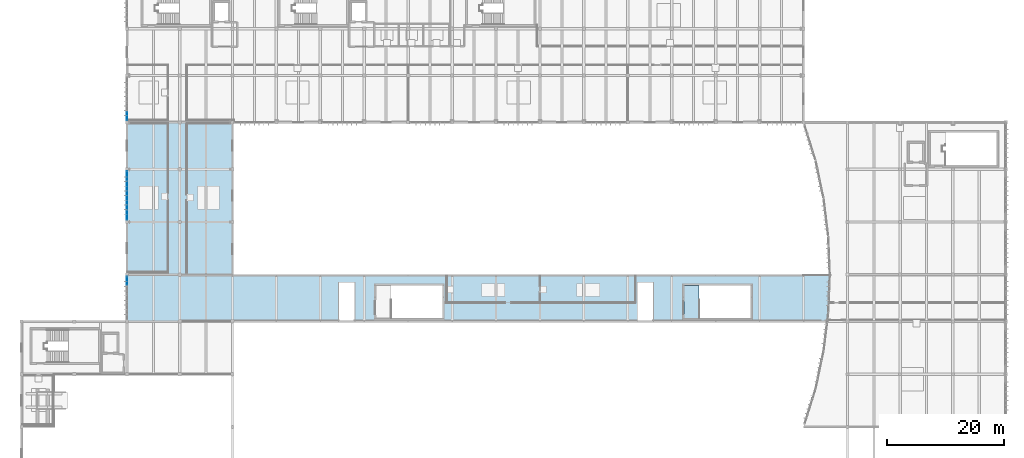
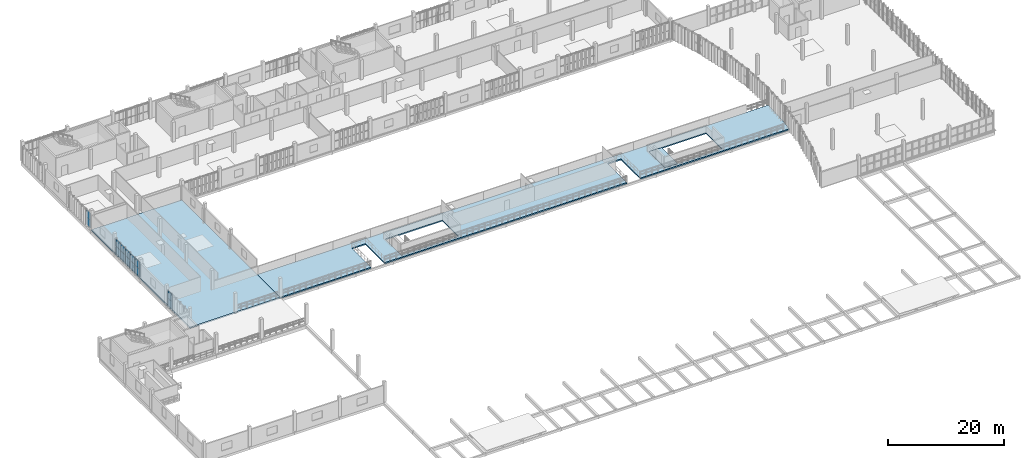
# One storey, part 33 of 61: 14 plates, 3 slabs, 3 elements without a shape of their own.
"""IFC4 building model written with IfcOpenShell, lengths in metres."""

from ifc_helpers import new_model, si_unit, direction, frame, origin, origin_2d, place, context, subcontext, project, spatial, polyline, rectangle, outline, extrude, material, layer, layer_set, type_object, element, aggregate, save


model = new_model("IFC4")

# Units and contexts
model_context = context("Model", 3, precision=1e-05, world=origin(), true_north=direction((0.0, 1.0)))
body_context = subcontext(model_context, "Body", "Model", "MODEL_VIEW")
ifc_project = project(units=[si_unit("LENGTHUNIT", "METRE"), si_unit("AREAUNIT", "SQUARE_METRE"), si_unit("VOLUMEUNIT", "CUBIC_METRE"), si_unit("PLANEANGLEUNIT", "RADIAN"), si_unit("MASSUNIT", "GRAM", prefix="KILO")], contexts=[model_context])

# Site, building, storey
site_placement = place(None, origin())
site = spatial("IfcSite", under=ifc_project, at=site_placement, CompositionType="ELEMENT")
building_placement = place(site_placement, origin())
building = spatial("IfcBuilding", under=site, at=building_placement, Name="Vourika Railside Aquatics Centre", CompositionType="ELEMENT")
storey_placement = place(building_placement, frame((0.0, 0.0, 9.300048828125)))
storey = spatial("IfcBuildingStorey", under=building, at=storey_placement, Name="L02", CompositionType="ELEMENT", Elevation=9.300048828125)

# Curtain wall, plates
ifc_material_1 = material(Name="Anodized thermally broken aluminium", Category="aluminium")
curtain_wall_type = type_object("IfcCurtainWallType", Name="CW-FIT2", PredefinedType="NOTDEFINED", material=ifc_material_1)
curtain_wall_1_placement = place(storey_placement, origin())
curtain_wall_1 = element("IfcCurtainWall", 1, at=curtain_wall_1_placement, inside=storey, type_object=curtain_wall_type, Name="Fitness West Boulevard Curtain Wall L02-1", PredefinedType="NOTDEFINED")
ifc_material_2 = material(Name="Low-E solar-control laminated double glazing", Category="glass")
ifc_layer_1 = layer(ifc_material_2, 0.02392578125, Name="CWP-FIT2")
ifc_layer_set_1 = layer_set([ifc_layer_1], Name="Low-E solar-control laminated double glazing")
plate_type = type_object("IfcPlateType", Name="CWP-FIT2", PredefinedType="CURTAIN_PANEL", material=ifc_layer_set_1)
plate_1_placement = place(storey_placement, frame((18.0, 64.94091796875, 0.06005859375), z_axis=(0.0, 0.0, 1.0), x_axis=(0.0, -1.0, 0.0)))
plate_1 = element("IfcPlate", 2, at=plate_1_placement, type_object=plate_type, Name="CW16 panel 1.1", PredefinedType="CURTAIN_PANEL", context=body_context, shape_type="SweptSolid", body=[
    extrude(rectangle(XDim=1.387939453125, YDim=0.02392578125, at=origin_2d()), origin(), (0.0, 0.0, 1.0), 1.52001953125),
])
plate_2_placement = place(storey_placement, frame((18.0, 64.94091796875, 1.639892578125), z_axis=(0.0, 0.0, 1.0), x_axis=(0.0, -1.0, 0.0)))
plate_2 = element("IfcPlate", 3, at=plate_2_placement, type_object=plate_type, Name="CW16 panel 1.2", PredefinedType="CURTAIN_PANEL", context=body_context, shape_type="SweptSolid", body=[
    extrude(rectangle(XDim=1.387939453125, YDim=0.02392578125, at=origin_2d()), origin(), (0.0, 0.0, 1.0), 1.52001953125),
])
aggregate(curtain_wall_1, [plate_1, plate_2])

curtain_wall_2_placement = place(storey_placement, origin())
curtain_wall_2 = element("IfcCurtainWall", 4, at=curtain_wall_2_placement, inside=storey, type_object=curtain_wall_type, Name="Fitness West Boulevard Curtain Wall L02-3", PredefinedType="NOTDEFINED")
plate_3_placement = place(storey_placement, frame((18.0, 82.841064453125, 0.06005859375), z_axis=(0.0, 0.0, 1.0), x_axis=(0.0, -1.0, 0.0)))
plate_3 = element("IfcPlate", 5, at=plate_3_placement, type_object=plate_type, Name="CW16 panel 1.1", PredefinedType="CURTAIN_PANEL", context=body_context, shape_type="SweptSolid", body=[
    extrude(rectangle(XDim=1.587890625, YDim=0.02392578125, at=origin_2d()), origin(), (0.0, 0.0, 1.0), 1.52001953125),
])
plate_4_placement = place(storey_placement, frame((18.0, 82.841064453125, 1.639892578125), z_axis=(0.0, 0.0, 1.0), x_axis=(0.0, -1.0, 0.0)))
plate_4 = element("IfcPlate", 6, at=plate_4_placement, type_object=plate_type, Name="CW16 panel 1.2", PredefinedType="CURTAIN_PANEL", context=body_context, shape_type="SweptSolid", body=[
    extrude(rectangle(XDim=1.587890625, YDim=0.02392578125, at=origin_2d()), origin(), (0.0, 0.0, 1.0), 1.52001953125),
])
plate_5_placement = place(storey_placement, frame((18.0, 81.177978515625, 0.06005859375), z_axis=(0.0, 0.0, 1.0), x_axis=(0.0, -1.0, 0.0)))
plate_5 = element("IfcPlate", 7, at=plate_5_placement, type_object=plate_type, Name="CW16 panel 2.1", PredefinedType="CURTAIN_PANEL", context=body_context, shape_type="SweptSolid", body=[
    extrude(rectangle(XDim=1.617919921875, YDim=0.02392578125, at=origin_2d()), origin(), (0.0, 0.0, 1.0), 1.52001953125),
])
plate_6_placement = place(storey_placement, frame((18.0, 81.177978515625, 1.639892578125), z_axis=(0.0, 0.0, 1.0), x_axis=(0.0, -1.0, 0.0)))
plate_6 = element("IfcPlate", 8, at=plate_6_placement, type_object=plate_type, Name="CW16 panel 2.2", PredefinedType="CURTAIN_PANEL", context=body_context, shape_type="SweptSolid", body=[
    extrude(rectangle(XDim=1.617919921875, YDim=0.02392578125, at=origin_2d()), origin(), (0.0, 0.0, 1.0), 1.52001953125),
])
plate_7_placement = place(storey_placement, frame((18.0, 79.5, 0.06005859375), z_axis=(0.0, 0.0, 1.0), x_axis=(0.0, -1.0, 0.0)))
plate_7 = element("IfcPlate", 9, at=plate_7_placement, type_object=plate_type, Name="CW16 panel 3.1", PredefinedType="CURTAIN_PANEL", context=body_context, shape_type="SweptSolid", body=[
    extrude(rectangle(XDim=1.617919921875, YDim=0.02392578125, at=origin_2d()), origin(), (0.0, 0.0, 1.0), 1.52001953125),
])
plate_8_placement = place(storey_placement, frame((18.0, 79.5, 1.639892578125), z_axis=(0.0, 0.0, 1.0), x_axis=(0.0, -1.0, 0.0)))
plate_8 = element("IfcPlate", 10, at=plate_8_placement, type_object=plate_type, Name="CW16 panel 3.2", PredefinedType="CURTAIN_PANEL", context=body_context, shape_type="SweptSolid", body=[
    extrude(rectangle(XDim=1.617919921875, YDim=0.02392578125, at=origin_2d()), origin(), (0.0, 0.0, 1.0), 1.52001953125),
])
plate_9_placement = place(storey_placement, frame((18.0, 77.822021484375, 0.06005859375), z_axis=(0.0, 0.0, 1.0), x_axis=(0.0, -1.0, 0.0)))
plate_9 = element("IfcPlate", 11, at=plate_9_placement, type_object=plate_type, Name="CW16 panel 4.1", PredefinedType="CURTAIN_PANEL", context=body_context, shape_type="SweptSolid", body=[
    extrude(rectangle(XDim=1.617919921875, YDim=0.02392578125, at=origin_2d()), origin(), (0.0, 0.0, 1.0), 1.52001953125),
])
plate_10_placement = place(storey_placement, frame((18.0, 77.822021484375, 1.639892578125), z_axis=(0.0, 0.0, 1.0), x_axis=(0.0, -1.0, 0.0)))
plate_10 = element("IfcPlate", 12, at=plate_10_placement, type_object=plate_type, Name="CW16 panel 4.2", PredefinedType="CURTAIN_PANEL", context=body_context, shape_type="SweptSolid", body=[
    extrude(rectangle(XDim=1.617919921875, YDim=0.02392578125, at=origin_2d()), origin(), (0.0, 0.0, 1.0), 1.52001953125),
])
plate_11_placement = place(storey_placement, frame((18.0, 76.158935546875, 0.06005859375), z_axis=(0.0, 0.0, 1.0), x_axis=(0.0, -1.0, 0.0)))
plate_11 = element("IfcPlate", 13, at=plate_11_placement, type_object=plate_type, Name="CW16 panel 5.1", PredefinedType="CURTAIN_PANEL", context=body_context, shape_type="SweptSolid", body=[
    extrude(rectangle(XDim=1.587890625, YDim=0.02392578125, at=origin_2d()), origin(), (0.0, 0.0, 1.0), 1.52001953125),
])
plate_12_placement = place(storey_placement, frame((18.0, 76.158935546875, 1.639892578125), z_axis=(0.0, 0.0, 1.0), x_axis=(0.0, -1.0, 0.0)))
plate_12 = element("IfcPlate", 14, at=plate_12_placement, type_object=plate_type, Name="CW16 panel 5.2", PredefinedType="CURTAIN_PANEL", context=body_context, shape_type="SweptSolid", body=[
    extrude(rectangle(XDim=1.587890625, YDim=0.02392578125, at=origin_2d()), origin(), (0.0, 0.0, 1.0), 1.52001953125),
])
aggregate(curtain_wall_2, [plate_3, plate_4, plate_5, plate_6, plate_7, plate_8, plate_9, plate_10, plate_11, plate_12])

curtain_wall_3_placement = place(storey_placement, origin())
curtain_wall_3 = element("IfcCurtainWall", 15, at=curtain_wall_3_placement, inside=storey, type_object=curtain_wall_type, Name="Fitness West Boulevard Curtain Wall L02-5", PredefinedType="NOTDEFINED")
plate_13_placement = place(storey_placement, frame((18.0, 93.05908203125, 0.06005859375), z_axis=(0.0, 0.0, 1.0), x_axis=(0.0, -1.0, 0.0)))
plate_13 = element("IfcPlate", 16, at=plate_13_placement, type_object=plate_type, Name="CW16 panel 5.1", PredefinedType="CURTAIN_PANEL", context=body_context, shape_type="SweptSolid", body=[
    extrude(rectangle(XDim=1.387939453125, YDim=0.02392578125, at=origin_2d()), origin(), (0.0, 0.0, 1.0), 1.52001953125),
])
plate_14_placement = place(storey_placement, frame((18.0, 93.05908203125, 1.639892578125), z_axis=(0.0, 0.0, 1.0), x_axis=(0.0, -1.0, 0.0)))
plate_14 = element("IfcPlate", 17, at=plate_14_placement, type_object=plate_type, Name="CW16 panel 5.2", PredefinedType="CURTAIN_PANEL", context=body_context, shape_type="SweptSolid", body=[
    extrude(rectangle(XDim=1.387939453125, YDim=0.02392578125, at=origin_2d()), origin(), (0.0, 0.0, 1.0), 1.52001953125),
])
aggregate(curtain_wall_3, [plate_13, plate_14])

# Slabs
ifc_material_3 = material(Name="Concrete C35/45", Category="concrete")
ifc_layer_2 = layer(ifc_material_3, 0.219970703125, Name="SLB-CORE-220")
ifc_layer_set_2 = layer_set([ifc_layer_2], Name="Concrete C35/45")
slab_type_1 = type_object("IfcSlabType", Name="SLB-CORE-220", PredefinedType="FLOOR", material=ifc_layer_set_2)
slab_1_placement = place(storey_placement, frame((0.0, 0.0, -0.219970703125)))
element("IfcSlab", 18, at=slab_1_placement, inside=storey, type_object=slab_type_1, Name="Grandstand Vomitory Exit Stair ST10 L02 Vomitory Arrival Deck", PredefinedType="FLOOR", context=body_context, shape_type="SweptSolid", body=[
    extrude(outline(polyline([(113.10009765625, 58.550048828125), (115.679931640625, 58.550048828125), (115.679931640625, 64.14990234375), (113.10009765625, 64.14990234375), (113.10009765625, 58.550048828125)])), origin(), (0.0, 0.0, 1.0), 0.219970703125),
])
ifc_layer_3 = layer(ifc_material_3, 0.260009765625, Name="SLB-FLOOR-260")
ifc_layer_set_3 = layer_set([ifc_layer_3], Name="Concrete C35/45")
slab_type_2 = type_object("IfcSlabType", Name="SLB-FLOOR-260", PredefinedType="FLOOR", material=ifc_layer_set_3)
slab_2_placement = place(storey_placement, frame((0.0, 0.0, -0.260009765625)))
element("IfcSlab", 19, at=slab_2_placement, inside=storey, type_object=slab_type_2, Name="L02 Floor Slab (v1_catwalk)", PredefinedType="FLOOR", context=body_context, shape_type="SweptSolid", body=[
    extrude(outline(polyline([(137.925048828125, 62.75048828125), (137.72998046875, 59.500732421875), (137.578125, 58.0), (107.85009765625, 58.0), (107.85009765625, 64.64990234375), (105.14990234375, 64.64990234375), (105.14990234375, 58.0), (56.85009765625, 58.0), (56.85009765625, 64.64990234375), (54.14990234375, 64.64990234375), (54.14990234375, 58.0), (36.0, 58.0), (36.0, 66.0), (137.989990234375, 66.0), (137.925048828125, 62.75048828125)]), holes=[polyline([(71.89990234375, 64.14990234375), (60.5, 64.14990234375), (60.5, 58.550048828125), (71.89990234375, 58.550048828125), (71.89990234375, 64.14990234375)]), polyline([(124.5, 64.14990234375), (113.10009765625, 64.14990234375), (113.10009765625, 58.550048828125), (124.5, 58.550048828125), (124.5, 64.14990234375)])]), origin(), (0.0, 0.0, 1.0), 0.260009765625),
])
ifc_layer_4 = layer(ifc_material_3, 0.280029296875, Name="SLB-FLOOR-280")
ifc_layer_set_4 = layer_set([ifc_layer_4], Name="Concrete C35/45")
slab_type_3 = type_object("IfcSlabType", Name="SLB-FLOOR-280", PredefinedType="FLOOR", material=ifc_layer_set_4)
slab_3_placement = place(storey_placement, frame((0.0, 0.0, -0.280029296875)))
element("IfcSlab", 20, at=slab_3_placement, inside=storey, type_object=slab_type_3, Name="L02 Floor Slab (v5_link)", PredefinedType="FLOOR", context=body_context, shape_type="SweptSolid", body=[
    extrude(outline(polyline([(18.0, 58.0), (18.0, 92.0), (36.0, 92.0), (36.0, 58.0), (18.0, 58.0)])), origin(), (0.0, 0.0, 1.0), 0.280029296875),
])

save(model, "model.ifc")
